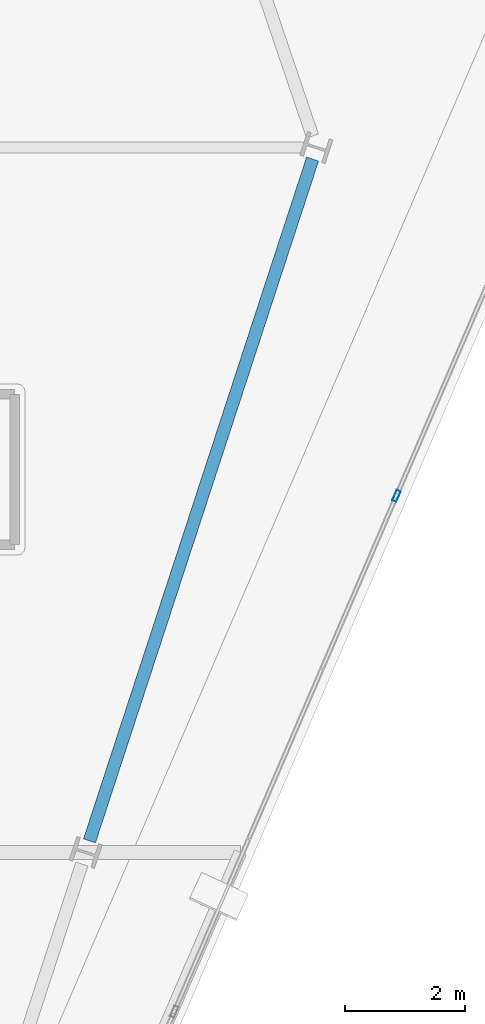
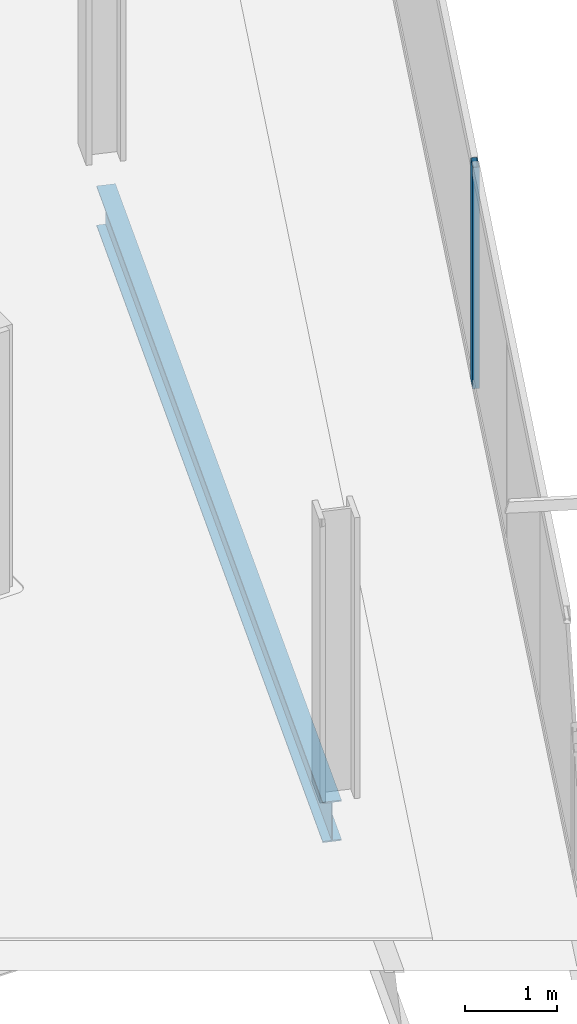
# One storey, part 12 of 28: 1 beam, 1 member, 1 element without a shape of its own.
"""IFC4 building model written with IfcOpenShell, lengths in metres."""

import ifcopenshell
import ifcopenshell.guid

model = None  # the IFC model being written
_history = None  # IfcOwnerHistory: only IFC2X3 demands one
_inside = {}  # id of a spatial element -> (the spatial element, [elements in it])
_under = {}  # id of a project, library or spatial element -> (it, [spatial elements below it])
_declared = {}  # id of a project -> (the project, [libraries it declares])
_typed = {}  # id of a type object -> (the type object, [elements of that type])
_made_of = {}  # id of a material, layer set ... -> (it, [elements and type objects made of it])


def new_model(schema):
    """Start an empty IFC model of exactly this schema.

    Asked for "IFC4X3", IfcOpenShell would pick the latest addendum, in which some entities
    have other attributes; the version numbers below select the first issue.
    IFC2X3 requires an IfcOwnerHistory on every rooted entity: one is made here for all.
    """
    global model, _history
    if schema == "IFC4X3":
        model = ifcopenshell.file(schema_version=(4, 3, 0, 0))
    else:
        model = ifcopenshell.file(schema=schema)
    _inside.clear()
    _under.clear()
    _declared.clear()
    _typed.clear()
    _made_of.clear()
    _history = None
    if model.schema == "IFC2X3":
        org = make("IfcOrganization", Name="unknown")
        user = make(
            "IfcPersonAndOrganization",
            ThePerson=make("IfcPerson", FamilyName="unknown"),
            TheOrganization=org,
        )
        app = make(
            "IfcApplication",
            ApplicationDeveloper=org,
            Version="unknown",
            ApplicationFullName="unknown",
            ApplicationIdentifier="unknown",
        )
        _history = make(
            "IfcOwnerHistory",
            OwningUser=user,
            OwningApplication=app,
            ChangeAction="ADDED",
            CreationDate=0,
        )
    return model


def make(cls, **values):
    """One entity of the class cls with the attributes given. An attribute that is None is left unset."""
    return model.create_entity(
        cls, **{name: value for name, value in values.items() if value is not None}
    )


def rooted(cls, **values):
    """An entity with a GlobalId (a new one), such as an element, a storey or a relation."""
    return make(cls, GlobalId=ifcopenshell.guid.new(), OwnerHistory=_history, **values)


def si_unit(unit_type, name, prefix=None):
    """IfcSIUnit, for example si_unit("LENGTHUNIT", "METRE", prefix="MILLI")."""
    return make("IfcSIUnit", UnitType=unit_type, Prefix=prefix, Name=name)


def assignment(units):
    """IfcUnitAssignment: the units of a project."""
    return None if units is None else make("IfcUnitAssignment", Units=units)


def point(xyz):
    """IfcCartesianPoint."""
    return None if xyz is None else make("IfcCartesianPoint", Coordinates=xyz)


def direction(xyz):
    """IfcDirection."""
    return None if xyz is None else make("IfcDirection", DirectionRatios=xyz)


def frame(location, z_axis=None, x_axis=None):
    """IfcAxis2Placement3D, a coordinate frame: its origin and axes. An axis left out is left unset."""
    return make(
        "IfcAxis2Placement3D",
        Location=point(location),
        Axis=direction(z_axis),
        RefDirection=direction(x_axis),
    )


def frame_2d(location, x_axis=None):
    """IfcAxis2Placement2D, a coordinate frame in the plane: its origin and x axis."""
    return make(
        "IfcAxis2Placement2D", Location=point(location), RefDirection=direction(x_axis)
    )


def origin():
    """The frame at (0, 0, 0) with its axes left unset."""
    return frame((0.0, 0.0, 0.0))


def origin_2d():
    """The frame at (0, 0) in the plane with its x axis left unset."""
    return frame_2d((0.0, 0.0))


def place(relative_to, where):
    """IfcLocalPlacement: puts the frame where relative to a parent placement (None: the world)."""
    return make(
        "IfcLocalPlacement", PlacementRelTo=relative_to, RelativePlacement=where
    )


def context(
    kind, dimensions, precision=None, world=None, true_north=None, identifier=None
):
    """IfcGeometricRepresentationContext, for example the 3D "Model" context."""
    return make(
        "IfcGeometricRepresentationContext",
        ContextIdentifier=identifier,
        ContextType=kind,
        CoordinateSpaceDimension=dimensions,
        Precision=precision,
        WorldCoordinateSystem=world,
        TrueNorth=true_north,
    )


def subcontext(parent, identifier, kind, view, scale=None):
    """IfcGeometricRepresentationSubContext, for example "Body" below "Model"."""
    return make(
        "IfcGeometricRepresentationSubContext",
        ContextIdentifier=identifier,
        ContextType=kind,
        ParentContext=parent,
        TargetScale=scale,
        TargetView=view,
    )


def project(units=None, contexts=None):
    """IfcProject with its units and contexts."""
    return rooted(
        "IfcProject",
        Name="project",
        RepresentationContexts=contexts,
        UnitsInContext=assignment(units),
    )


def spatial(cls, under=None, at=None, **own):
    """A site, building, storey or space (cls), placed at a placement, below another one or the project."""
    s = rooted(cls, ObjectPlacement=at, **own)
    if under is not None:
        _under.setdefault(under.id(), (under, []))[1].append(s)
    return s


def profile(cls, at=None, kind="AREA", **sizes):
    """A parametric profile (cls). Its sizes go by their IFC names, for example OverallWidth=200.0."""
    return make(cls, ProfileType=kind, Position=at, **sizes)


def hollow_rectangle(**sizes):
    """IfcRectangleHollowProfileDef."""
    return profile("IfcRectangleHollowProfileDef", **sizes)


def i_section(**sizes):
    """IfcIShapeProfileDef."""
    return profile("IfcIShapeProfileDef", **sizes)


def extrude(swept, where, along, depth):
    """IfcExtrudedAreaSolid: the profile swept, set in the frame where, extruded along a direction by depth."""
    return make(
        "IfcExtrudedAreaSolid",
        SweptArea=swept,
        Position=where,
        ExtrudedDirection=direction(along),
        Depth=depth,
    )


def shape(context_of_items, identifier, shape_type, items):
    """IfcShapeRepresentation: the items that make up one representation, for example the "Body"."""
    return make(
        "IfcShapeRepresentation",
        ContextOfItems=context_of_items,
        RepresentationIdentifier=identifier,
        RepresentationType=shape_type,
        Items=items,
    )


def material(Name=None, Category=None):
    """IfcMaterial."""
    return make("IfcMaterial", Name=Name, Category=Category)


def material_profile(
    of_material, cross_section, Name=None, Category=None, Priority=None
):
    """IfcMaterialProfile: a cross section and its material."""
    return make(
        "IfcMaterialProfile",
        Name=Name,
        Material=of_material,
        Profile=cross_section,
        Priority=Priority,
        Category=Category,
    )


def profile_set(profiles, Name=None, composite=None):
    """IfcMaterialProfileSet."""
    return make(
        "IfcMaterialProfileSet",
        Name=Name,
        MaterialProfiles=profiles,
        CompositeProfile=composite,
    )


def made_of(thing, what):
    """Note that an element or type object is made of a material, layer set ...; save() writes the relation."""
    if what is not None:
        _made_of.setdefault(what.id(), (what, []))[1].append(thing)
    return thing


def type_object(cls, material=None, **own):
    """A type object (cls), such as IfcWallType, which elements share."""
    return made_of(rooted(cls, **own), material)


def element(
    cls,
    number,
    at=None,
    inside=None,
    cuts=None,
    type_object=None,
    material=None,
    context=None,
    identifier="Body",
    shape_type=None,
    held_by="IfcProductDefinitionShape",
    body=None,
    shapes=None,
    **own,
):
    """One element of the class cls, such as IfcWall. Its Tag is "e" and its number.

    at: its placement. inside: the storey or other place that contains it. cuts: it is an
    opening in that element (IfcRelVoidsElement). A single representation is given by context,
    identifier, shape_type and body (its items); several are given by shapes. held_by: the class
    of the entity that holds the representations. save() writes the other relations.
    """
    e = rooted(cls, Tag="e%d" % number, ObjectPlacement=at, **own)
    if body is not None:
        shapes = [shape(context, identifier, shape_type, body)]
    if shapes is not None:
        e.Representation = make(held_by, Representations=shapes)
    if inside is not None:
        _inside.setdefault(inside.id(), (inside, []))[1].append(e)
    if cuts is not None:
        rooted(
            "IfcRelVoidsElement", RelatingBuildingElement=cuts, RelatedOpeningElement=e
        )
    if type_object is not None:
        _typed.setdefault(type_object.id(), (type_object, []))[1].append(e)
    return made_of(e, material)


def aggregate(whole, parts):
    """IfcRelAggregates: a whole, such as a stair, and the parts it consists of."""
    return rooted("IfcRelAggregates", RelatingObject=whole, RelatedObjects=parts)


def save(model, path):
    """Write the relations noted so far, then the file.

    IfcRelAggregates (storeys below a building ...), IfcRelContainedInSpatialStructure (elements
    in a storey), IfcRelDefinesByType, IfcRelAssociatesMaterial and IfcRelDeclares: one each for
    every whole, place, type object, material and project.
    """
    for whole, parts in _under.values():
        aggregate(whole, parts)
    for where, things in _inside.values():
        rooted(
            "IfcRelContainedInSpatialStructure",
            RelatedElements=things,
            RelatingStructure=where,
        )
    for kind, things in _typed.values():
        rooted("IfcRelDefinesByType", RelatedObjects=things, RelatingType=kind)
    for what, things in _made_of.values():
        rooted("IfcRelAssociatesMaterial", RelatedObjects=things, RelatingMaterial=what)
    for by, libraries in _declared.values():
        rooted("IfcRelDeclares", RelatingContext=by, RelatedDefinitions=libraries)
    model.write(path)


model = new_model("IFC4")

# Units and contexts
model_context = context("Model", 3, precision=1e-05, world=origin(), true_north=direction((0.0, 1.0)))
body_context = subcontext(model_context, "Body", "Model", "MODEL_VIEW")
ifc_project = project(units=[si_unit("LENGTHUNIT", "METRE"), si_unit("AREAUNIT", "SQUARE_METRE"), si_unit("VOLUMEUNIT", "CUBIC_METRE"), si_unit("PLANEANGLEUNIT", "RADIAN"), si_unit("MASSUNIT", "GRAM", prefix="KILO")], contexts=[model_context])

# Site, building, storey
site_placement = place(None, origin())
site = spatial("IfcSite", under=ifc_project, at=site_placement, CompositionType="ELEMENT")
building_placement = place(site_placement, origin())
building = spatial("IfcBuilding", under=site, at=building_placement, Name="Haldenkirk Collegiate Tower", CompositionType="ELEMENT")
storey_placement = place(building_placement, frame((0.0, 0.0, 252.449951171875)))
storey = spatial("IfcBuildingStorey", under=building, at=storey_placement, Name="L63", CompositionType="ELEMENT", Elevation=252.449951171875)

# Beam
ifc_material_1 = material(Name="Steel ASTM A992 Grade 50", Category="steel")
ifc_material_profile_1 = material_profile(ifc_material_1, i_section(OverallWidth=0.2099609375, OverallDepth=0.537109375, WebThickness=0.010986328125, FlangeThickness=0.017333984375, at=origin_2d()), Name="W21X68")
ifc_profile_set_1 = profile_set([ifc_material_profile_1], Name="Steel ASTM A992 Grade 50")
beam_type = type_object("IfcBeamType", Name="BM-SPANDREL-W21X68", PredefinedType="SPANDREL", material=ifc_profile_set_1)
beam_placement = place(storey_placement, frame((55.54638671875, 19.81689453125, -0.538330078125), z_axis=(0.311010188249, 0.950406577631, 0.0), x_axis=(-0.950406577631, 0.311010188249, 0.0)))
element("IfcBeam", 1, at=beam_placement, inside=storey, type_object=beam_type, Name="L63 perimeter spandrel beam 03", PredefinedType="SPANDREL", context=body_context, shape_type="SweptSolid", body=[
    extrude(i_section(OverallWidth=0.2099609375, OverallDepth=0.537109375, WebThickness=0.010986328125, FlangeThickness=0.017333984375, at=origin_2d()), origin(), (0.0, 0.0, 1.0), 11.94287109375),
])

# Curtain wall, member
ifc_material_2 = material(Name="Anodised architectural bronze aluminium", Category="aluminium")
curtain_wall_type = type_object("IfcCurtainWallType", Name="CW-SYS2-CONCAVE", PredefinedType="USERDEFINED", material=ifc_material_2)
curtain_wall_placement = place(storey_placement, origin())
curtain_wall = element("IfcCurtainWall", 2, at=curtain_wall_placement, inside=storey, type_object=curtain_wall_type, Name="L63 South concave recessed bronze-anodised curtain wall", ObjectType="UNITISED CURTAIN WALL", PredefinedType="USERDEFINED")
ifc_material_profile_2 = material_profile(ifc_material_2, hollow_rectangle(XDim=0.074951171875, YDim=0.18994140625, WallThickness=0.0048828125, at=origin_2d()), Name="CW-MUL-02")
ifc_profile_set_2 = profile_set([ifc_material_profile_2], Name="Anodised architectural bronze aluminium")
member_type = type_object("IfcMemberType", Name="CW-MUL-02", PredefinedType="MULLION", material=ifc_profile_set_2)
member_placement = place(storey_placement, frame((60.657470703125, 25.56103515625, 0.0), z_axis=(0.0, 0.0, 1.0), x_axis=(0.918446421115, -0.395545410215, 0.0)))
member = element("IfcMember", 3, at=member_placement, type_object=member_type, Name="CW-02 mullion 2", PredefinedType="MULLION", context=body_context, shape_type="SweptSolid", body=[
    extrude(hollow_rectangle(XDim=0.074951171875, YDim=0.18994140625, WallThickness=0.0048828125, at=origin_2d()), origin(), (0.0, 0.0, 1.0), 2.93798828125),
])
aggregate(curtain_wall, [member])

save(model, "model.ifc")
